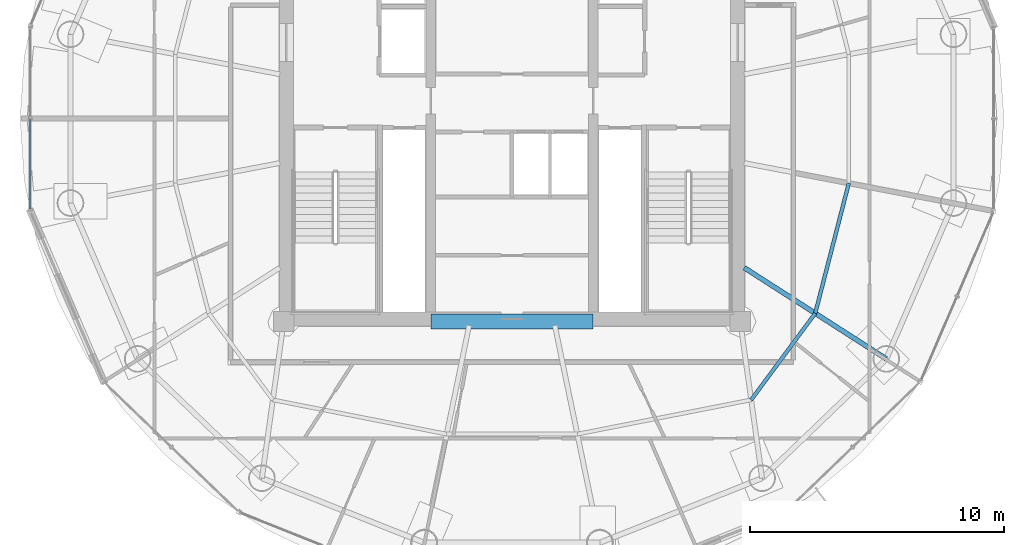
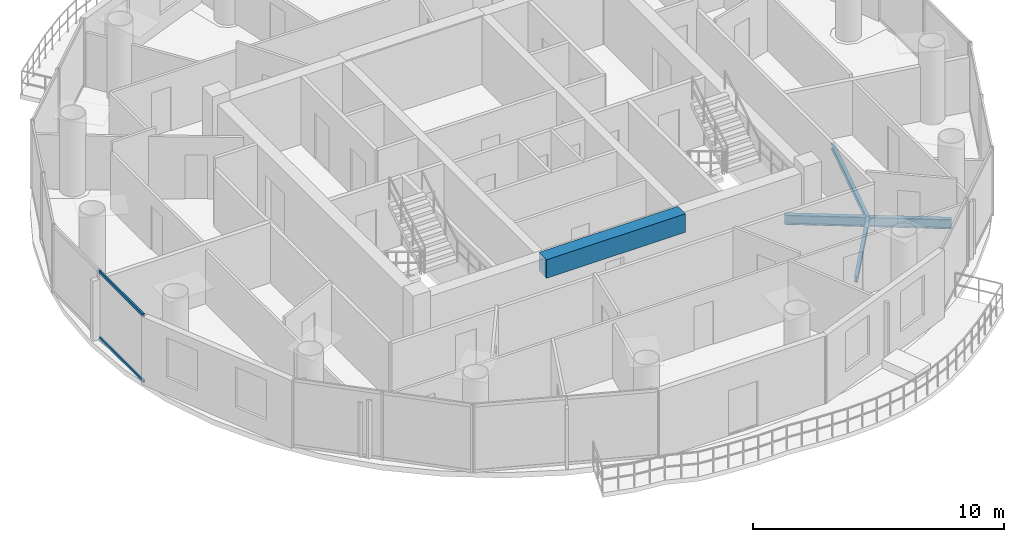
# One storey, part 7 of 23: 4 beams, 2 members, 1 element without a shape of its own.
"""IFC4 building model written with IfcOpenShell, lengths in metres."""

from ifc_helpers import new_model, si_unit, direction, frame, origin, origin_2d, place, context, subcontext, project, spatial, rectangle, hollow_rectangle, i_section, extrude, source, transform, mapped, material, material_profile, profile_set, type_object, element, aggregate, save


model = new_model("IFC4")

# Units and contexts
model_context = context("Model", 3, precision=1e-05, world=origin(), true_north=direction((-0.2419218956, 0.970295726276)))
body_context = subcontext(model_context, "Body", "Model", "MODEL_VIEW")
ifc_project = project(units=[si_unit("LENGTHUNIT", "METRE"), si_unit("AREAUNIT", "SQUARE_METRE"), si_unit("VOLUMEUNIT", "CUBIC_METRE"), si_unit("PLANEANGLEUNIT", "RADIAN"), si_unit("MASSUNIT", "GRAM", prefix="KILO")], contexts=[model_context])

# Site, building, storey
site_placement = place(None, origin())
site = spatial("IfcSite", under=ifc_project, at=site_placement, CompositionType="ELEMENT")
building_placement = place(site_placement, origin())
building = spatial("IfcBuilding", under=site, at=building_placement, Name="Cobrevalo Terracotta Tower", CompositionType="ELEMENT")
storey_placement = place(building_placement, frame((0.0, 0.0, 296.949951171875)))
storey = spatial("IfcBuildingStorey", under=building, at=storey_placement, Name="L78", CompositionType="ELEMENT", Elevation=296.949951171875)

# Beams
ifc_material_1 = material(Name="Concrete C60", Category="concrete")
ifc_material_profile_1 = material_profile(ifc_material_1, rectangle(XDim=0.60009765625, YDim=0.89990234375, at=origin_2d()), Name="RC CB 600x900")
ifc_profile_set_1 = profile_set([ifc_material_profile_1], Name="Concrete C60")
beam_type_1 = type_object("IfcBeamType", Name="Structural Beam RC CB 600x900 (Concrete C60)", PredefinedType="BEAM", material=ifc_profile_set_1)
beam_1_placement = place(storey_placement, frame((34.800048828125, 18.800048828125, 2.85009765625), z_axis=(1.0, 0.0, 0.0), x_axis=(0.0, 1.0, 0.0)))
element("IfcBeam", 1, at=beam_1_placement, inside=storey, type_object=beam_type_1, Name="L78 core coupling beam 1", PredefinedType="BEAM", context=body_context, shape_type="SweptSolid", body=[
    extrude(rectangle(XDim=0.60009765625, YDim=0.89990234375, at=origin_2d()), origin(), (0.0, 0.0, 1.0), 6.39990234375),
])
ifc_material_2 = material(Name="Steel S355", Category="steel")
ifc_material_profile_2 = material_profile(ifc_material_2, i_section(OverallWidth=0.19091796875, OverallDepth=0.4599609375, WebThickness=0.010009765625, FlangeThickness=0.01611328125, at=origin_2d()), Name="W 460x82")
ifc_profile_set_2 = profile_set([ifc_material_profile_2], Name="Steel S355")
beam_type_2 = type_object("IfcBeamType", Name="Structural Beam W 460x82 (Steel S355)", PredefinedType="BEAM", material=ifc_profile_set_2)
beam_2_placement = place(storey_placement, frame((52.758544921875, 17.32763671875, -0.489990234375), z_axis=(-0.84157615512, 0.540138477739, 0.0), x_axis=(-0.540138477739, -0.84157615512, 0.0)))
element("IfcBeam", 2, at=beam_2_placement, inside=storey, type_object=beam_type_2, Name="L78 radial floor girder 15", PredefinedType="BEAM", context=body_context, shape_type="SweptSolid", body=[
    extrude(i_section(OverallWidth=0.19091796875, OverallDepth=0.4599609375, WebThickness=0.010009765625, FlangeThickness=0.01611328125, at=origin_2d()), origin(), (0.0, 0.0, 1.0), 6.658447265625),
])
ifc_material_profile_3 = material_profile(ifc_material_2, i_section(OverallWidth=0.14794921875, OverallDepth=0.26611328125, WebThickness=0.007568359375, FlangeThickness=0.012939453125, at=origin_2d()), Name="W 250x44.8")
ifc_profile_set_3 = profile_set([ifc_material_profile_3], Name="Steel S355")
beam_type_3 = type_object("IfcBeamType", Name="Structural Joist W 250x44.8 (Steel S355)", PredefinedType="JOIST", material=ifc_profile_set_3)
beam_3_placement = place(storey_placement, frame((47.4306640625, 15.711669921875, -0.39306640625), z_axis=(0.594799916617, 0.803873783123, 0.0), x_axis=(-0.803873783123, 0.594799916617, 0.0)))
element("IfcBeam", 3, at=beam_3_placement, inside=storey, type_object=beam_type_3, Name="L78 circumferential secondary floor joist 14", PredefinedType="JOIST", context=body_context, shape_type="SweptSolid", body=[
    extrude(i_section(OverallWidth=0.14794921875, OverallDepth=0.26611328125, WebThickness=0.007568359375, FlangeThickness=0.012939453125, at=origin_2d()), origin(), (0.0, 0.0, 1.0), 4.2470703125),
])
beam_4_placement = place(storey_placement, frame((49.956787109375, 19.125732421875, -0.39306640625), z_axis=(0.249816773293, 0.968293126993, 0.0), x_axis=(-0.968293126993, 0.249816773293, 0.0)))
element("IfcBeam", 4, at=beam_4_placement, inside=storey, type_object=beam_type_3, Name="L78 circumferential secondary floor joist 15", PredefinedType="JOIST", context=body_context, shape_type="SweptSolid", body=[
    extrude(i_section(OverallWidth=0.14794921875, OverallDepth=0.26611328125, WebThickness=0.007568359375, FlangeThickness=0.012939453125, at=origin_2d()), origin(), (0.0, 0.0, 1.0), 5.3046875),
])

# Curtain wall, members
ifc_material_3 = material(Name="Anodized aluminium", Category="aluminium")
curtain_wall_type = type_object("IfcCurtainWallType", Name="Upper-tower triple-glazed penthouse curtain wall CW-U3", PredefinedType="NOTDEFINED", material=ifc_material_3)
curtain_wall_placement = place(storey_placement, origin())
curtain_wall = element("IfcCurtainWall", 5, at=curtain_wall_placement, inside=storey, type_object=curtain_wall_type, Name="L78 curtain wall CW-L78-S08", PredefinedType="NOTDEFINED")
ifc_material_profile_4 = material_profile(ifc_material_3, hollow_rectangle(XDim=0.074951171875, YDim=0.14990234375, WallThickness=0.00439453125, at=origin_2d()), Name="CWT 75x150")
ifc_profile_set_4 = profile_set([ifc_material_profile_4], Name="Anodized aluminium")
member_type = type_object("IfcMemberType", Name="Tower unitised aluminium transom 75x150", PredefinedType="USERDEFINED", material=ifc_profile_set_4)
shared_shape = source(origin(), body_context, "Body", "SweptSolid", [
    extrude(hollow_rectangle(XDim=0.074951171875, YDim=0.14990234375, WallThickness=0.00439453125, at=origin_2d()), origin(), (0.0, 0.0, 1.0), 3.5224609375),
])
member_1_placement = place(storey_placement, frame((19.002197265625, 26.760009765625, 0.050048828125), z_axis=(0.0, -1.0, 0.0), x_axis=(1.0, 0.0, 0.0)))
member_1 = element("IfcMember", 6, at=member_1_placement, type_object=member_type, Name="CW-L78-S08 transom B02-T1", ObjectType="TRANSOM", PredefinedType="USERDEFINED", context=body_context, shape_type="MappedRepresentation", body=[
    mapped(shared_shape, transform((0.0, 0.0, 0.0), scale=1.0)),
])
member_2_placement = place(storey_placement, frame((19.002197265625, 26.760009765625, 3.25), z_axis=(0.0, -1.0, 0.0), x_axis=(1.0, 0.0, 0.0)))
member_2 = element("IfcMember", 7, at=member_2_placement, type_object=member_type, Name="CW-L78-S08 transom B02-T2", ObjectType="TRANSOM", PredefinedType="USERDEFINED", context=body_context, shape_type="MappedRepresentation", body=[
    mapped(shared_shape, transform((0.0, 0.0, 0.0), scale=1.0)),
])
aggregate(curtain_wall, [member_1, member_2])

save(model, "model.ifc")
